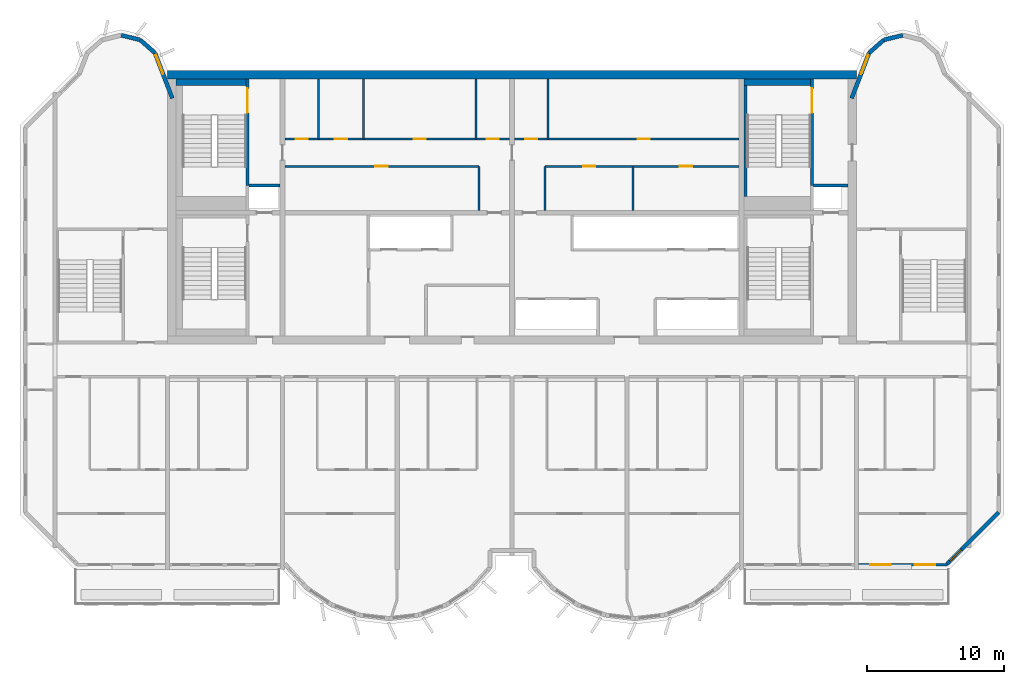
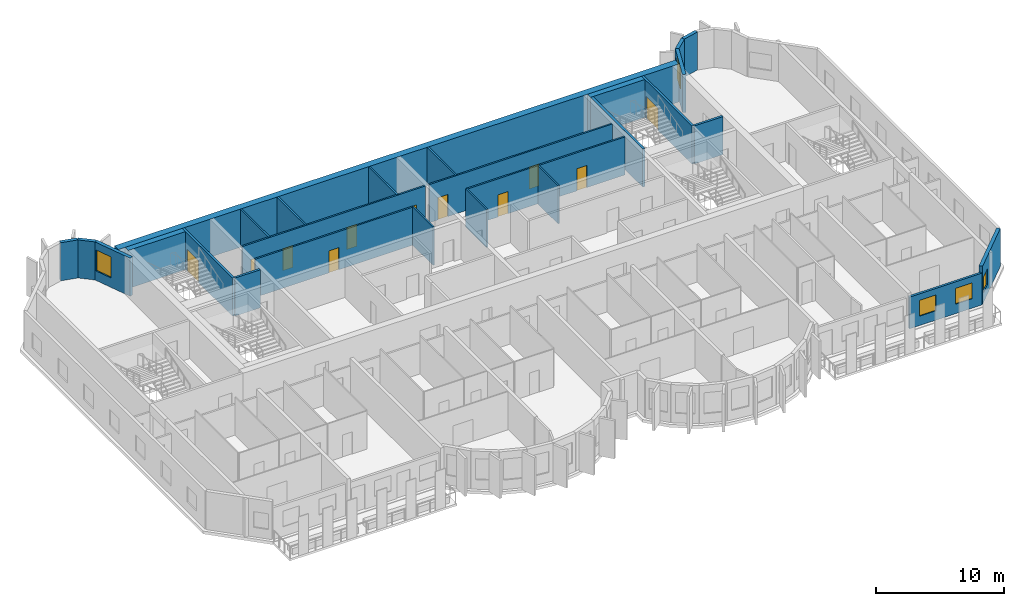
# One storey, part 7 of 11: 27 walls, 11 doors, 5 windows, 16 openings.
"""IFC4 building model written with IfcOpenShell, lengths in metres."""

from ifc_helpers import new_model, si_unit, direction, frame, frame_2d, origin, place, context, subcontext, project, spatial, rectangle, extrude, source, transform, mapped, material, layer, layer_set, type_object, element, fill, save


model = new_model("IFC4")

# Units and contexts
model_context = context("Model", 3, precision=1e-05, world=origin(), true_north=direction((0.0, 1.0)))
body_context = subcontext(model_context, "Body", "Model", "MODEL_VIEW")
ifc_project = project(units=[si_unit("LENGTHUNIT", "METRE"), si_unit("AREAUNIT", "SQUARE_METRE"), si_unit("VOLUMEUNIT", "CUBIC_METRE"), si_unit("PLANEANGLEUNIT", "RADIAN"), si_unit("MASSUNIT", "GRAM", prefix="KILO")], contexts=[model_context])

# Site, building, storey
site_placement = place(None, origin())
site = spatial("IfcSite", under=ifc_project, at=site_placement, CompositionType="ELEMENT")
building_placement = place(site_placement, origin())
building = spatial("IfcBuilding", under=site, at=building_placement, Name="Vanashikhar Sky Hotel", CompositionType="ELEMENT")
storey_placement = place(building_placement, frame((0.0, 0.0, 249.10009765625)))
storey = spatial("IfcBuildingStorey", under=building, at=storey_placement, Name="L60", CompositionType="ELEMENT", Elevation=249.10009765625)

# Wall
ifc_material_1 = material(Name="Concrete M60", Category="concrete")
ifc_layer_1 = layer(ifc_material_1, 0.60009765625)
ifc_layer_set_1 = layer_set([ifc_layer_1], Name="RC core shell wall 600 Concrete M60")
wall_type_1 = type_object("IfcWallType", Name="RC core shell wall 600 Concrete M60", PredefinedType="SHEAR", material=ifc_layer_set_1)
shared_shape_1 = source(origin(), body_context, "Body", "SweptSolid", [
    extrude(rectangle(XDim=50.400146484375, YDim=0.60009765625, at=frame_2d((25.2001953125, 0.0))), origin(), (0.0, 0.0, 1.0), 3.619873046875),
])
wall_1_placement = place(storey_placement, frame((25.199951171875, 41.699951171875, 0.0), z_axis=(0.0, 0.0, 1.0), x_axis=(1.0, 0.0, 0.0)))
element("IfcWall", 1, at=wall_1_placement, inside=storey, type_object=wall_type_1, Name="KW-L60-KN", PredefinedType="SHEAR", context=body_context, shape_type="MappedRepresentation", body=[
    mapped(shared_shape_1, transform((0.0, 0.0, 0.0), scale=1.0)),
])

# Wall, openings, windows
ifc_material_2 = material(Name="Concrete M50", Category="concrete")
ifc_layer_2 = layer(ifc_material_2, 0.199951171875)
ifc_layer_set_2 = layer_set([ifc_layer_2], Name="Front window wall 200")
wall_type_2 = type_object("IfcWallType", Name="Front window wall 200", PredefinedType="SOLIDWALL", material=ifc_layer_set_2)
shared_shape_2 = source(origin(), body_context, "Body", "SweptSolid", [
    extrude(rectangle(XDim=6.5048828125, YDim=0.199951171875, at=frame_2d((3.25244140625, 0.0))), origin(), (0.0, 0.0, 1.0), 3.02001953125),
])
wall_2_placement = place(storey_placement, frame((75.75, 5.85009765625, 0.0), z_axis=(0.0, 0.0, 1.0), x_axis=(1.0, 0.0, 0.0)))
wall_2 = element("IfcWall", 2, at=wall_2_placement, inside=storey, type_object=wall_type_2, Name="Front window wall", PredefinedType="SOLIDWALL", context=body_context, shape_type="MappedRepresentation", body=[
    mapped(shared_shape_2, transform((0.0, 0.0, 0.0), scale=1.0)),
])
shared_shape_3 = source(origin(), body_context, "Body", "SweptSolid", [
    extrude(rectangle(XDim=1.5, YDim=1.5, at=frame_2d((0.75, 0.75))), frame((0.0, 0.10986328125, 0.0), z_axis=(0.0, -1.0, 0.0), x_axis=(1.0, 0.0, 0.0)), (0.0, 0.0, 1.0), 0.219970703125),
])
opening_1_placement = place(wall_2_placement, frame((0.876220703125, 0.0, 0.89990234375)))
opening_1 = element("IfcOpeningElement", 3, at=opening_1_placement, cuts=wall_2, Name="Opening WN-1", PredefinedType="OPENING", context=body_context, shape_type="MappedRepresentation", body=[
    mapped(shared_shape_3, transform((0.0, 0.0, 0.0), scale=1.0)),
])
opening_2_placement = place(wall_2_placement, frame((4.128662109375, 0.0, 0.89990234375)))
opening_2 = element("IfcOpeningElement", 4, at=opening_2_placement, cuts=wall_2, Name="Opening WN-1", PredefinedType="OPENING", context=body_context, shape_type="MappedRepresentation", body=[
    mapped(shared_shape_3, transform((0.0, 0.0, 0.0), scale=1.0)),
])
ifc_material_3 = material(Name="Glass", Category="glass")
window_type_1 = type_object("IfcWindowType", Name="Window 1500 x 1500", PartitioningType="SINGLE_PANEL", PredefinedType="WINDOW", material=ifc_material_3)
shared_shape_4 = source(origin(), body_context, "Body", "SweptSolid", [
    extrude(rectangle(XDim=1.5, YDim=1.5, at=frame_2d((0.75, 0.75))), frame((0.0, 0.030029296875, 0.0), z_axis=(0.0, -1.0, 0.0), x_axis=(1.0, 0.0, 0.0)), (0.0, 0.0, 1.0), 0.06005859375),
])
window_1_placement = place(opening_1_placement, origin())
window_1 = element("IfcWindow", 5, at=window_1_placement, inside=storey, type_object=window_type_1, Name="Window WN-1", OverallHeight=1.5, OverallWidth=1.5, PartitioningType="SINGLE_PANEL", PredefinedType="WINDOW", context=body_context, shape_type="MappedRepresentation", body=[
    mapped(shared_shape_4, transform((0.0, 0.0, 0.0), scale=1.0)),
])
fill(opening_1, window_1)
window_2_placement = place(opening_2_placement, origin())
window_2 = element("IfcWindow", 6, at=window_2_placement, inside=storey, type_object=window_type_1, Name="Window WN-1", OverallHeight=1.5, OverallWidth=1.5, PartitioningType="SINGLE_PANEL", PredefinedType="WINDOW", context=body_context, shape_type="MappedRepresentation", body=[
    mapped(shared_shape_4, transform((0.0, 0.0, 0.0), scale=1.0)),
])
fill(opening_2, window_2)

# Wall, opening, window
ifc_layer_3 = layer(ifc_material_2, 0.300048828125)
ifc_layer_set_3 = layer_set([ifc_layer_3], Name="Lobe wall 300")
wall_type_3 = type_object("IfcWallType", Name="Lobe wall 300", PredefinedType="SOLIDWALL", material=ifc_layer_set_3)
shared_shape_5 = source(origin(), body_context, "Body", "SweptSolid", [
    extrude(rectangle(XDim=5.32568359375, YDim=0.300048828125, at=frame_2d((2.662841796875, 0.0))), origin(), (0.0, 0.0, 1.0), 3.619873046875),
])
wall_3_placement = place(storey_placement, frame((82.234375, 5.89990234375, 0.0), z_axis=(0.0, 0.0, 1.0), x_axis=(0.707083859269, 0.707129702361, 0.0)))
wall_3 = element("IfcWall", 7, at=wall_3_placement, inside=storey, type_object=wall_type_3, Name="Corner wall", PredefinedType="SOLIDWALL", context=body_context, shape_type="MappedRepresentation", body=[
    mapped(shared_shape_5, transform((0.0, 0.0, 0.0), scale=1.0)),
])
shared_shape_6 = source(origin(), body_context, "Body", "SweptSolid", [
    extrude(rectangle(XDim=1.199951171875, YDim=1.5, at=frame_2d((0.60009765625, 0.75))), frame((0.0, 0.16015625, 0.0), z_axis=(0.0, -1.0, 0.0), x_axis=(1.0, 0.0, 0.0)), (0.0, 0.0, 1.0), 0.320068359375),
])
opening_3_placement = place(wall_3_placement, frame((0.29248046875, 0.0, 0.89990234375)))
opening_3 = element("IfcOpeningElement", 8, at=opening_3_placement, cuts=wall_3, Name="Opening WN-3", PredefinedType="OPENING", context=body_context, shape_type="MappedRepresentation", body=[
    mapped(shared_shape_6, transform((0.0, 0.0, 0.0), scale=1.0)),
])
window_type_2 = type_object("IfcWindowType", Name="Corridor end window 1200 x 1500", PartitioningType="SINGLE_PANEL", PredefinedType="WINDOW", material=ifc_material_3)
shared_shape_7 = source(origin(), body_context, "Body", "SweptSolid", [
    extrude(rectangle(XDim=1.199951171875, YDim=1.5, at=frame_2d((0.60009765625, 0.75))), frame((0.0, 0.030029296875, 0.0), z_axis=(0.0, -1.0, 0.0), x_axis=(1.0, 0.0, 0.0)), (0.0, 0.0, 1.0), 0.06005859375),
])
window_3_placement = place(opening_3_placement, origin())
window_3 = element("IfcWindow", 9, at=window_3_placement, inside=storey, type_object=window_type_2, Name="Window WN-3", OverallHeight=1.5, OverallWidth=1.199951171875, PartitioningType="SINGLE_PANEL", PredefinedType="WINDOW", context=body_context, shape_type="MappedRepresentation", body=[
    mapped(shared_shape_7, transform((0.0, 0.0, 0.0), scale=1.0)),
])
fill(opening_3, window_3)

shared_shape_8 = source(origin(), body_context, "Body", "SweptSolid", [
    extrude(rectangle(XDim=3.55908203125, YDim=0.300048828125, at=frame_2d((1.779541015625, 0.0))), origin(), (0.0, 0.0, 1.0), 3.619873046875),
])
wall_4_placement = place(storey_placement, frame((76.5234375, 43.2919921875, 0.0), z_axis=(0.0, 0.0, 1.0), x_axis=(-0.35779745313, -0.933799219604, 0.0)))
wall_4 = element("IfcWall", 10, at=wall_4_placement, inside=storey, type_object=wall_type_3, Name="Lobe wall", PredefinedType="SOLIDWALL", context=body_context, shape_type="MappedRepresentation", body=[
    mapped(shared_shape_8, transform((0.0, 0.0, 0.0), scale=1.0)),
])
shared_shape_9 = source(origin(), body_context, "Body", "SweptSolid", [
    extrude(rectangle(XDim=1.5, YDim=2.0, at=frame_2d((0.75, 1.0))), frame((0.0, 0.16015625, 0.0), z_axis=(0.0, -1.0, 0.0), x_axis=(1.0, 0.0, 0.0)), (0.0, 0.0, 1.0), 0.320068359375),
])
opening_4_placement = place(wall_4_placement, frame((0.156005859375, 0.0, 0.89990234375)))
opening_4 = element("IfcOpeningElement", 11, at=opening_4_placement, cuts=wall_4, Name="Opening WN-2", PredefinedType="OPENING", context=body_context, shape_type="MappedRepresentation", body=[
    mapped(shared_shape_9, transform((0.0, 0.0, 0.0), scale=1.0)),
])
window_type_3 = type_object("IfcWindowType", Name="Lobe window 1500 x 2000", PartitioningType="SINGLE_PANEL", PredefinedType="WINDOW", material=ifc_material_3)
shared_shape_10 = source(origin(), body_context, "Body", "SweptSolid", [
    extrude(rectangle(XDim=1.5, YDim=2.0, at=frame_2d((0.75, 1.0))), frame((0.0, 0.030029296875, 0.0), z_axis=(0.0, -1.0, 0.0), x_axis=(1.0, 0.0, 0.0)), (0.0, 0.0, 1.0), 0.06005859375),
])
window_4_placement = place(opening_4_placement, origin())
window_4 = element("IfcWindow", 12, at=window_4_placement, inside=storey, type_object=window_type_3, Name="Window WN-2", OverallHeight=2.0, OverallWidth=1.5, PartitioningType="SINGLE_PANEL", PredefinedType="WINDOW", context=body_context, shape_type="MappedRepresentation", body=[
    mapped(shared_shape_10, transform((0.0, 0.0, 0.0), scale=1.0)),
])
fill(opening_4, window_4)

wall_5_placement = place(storey_placement, frame((25.550048828125, 39.968505859375, 0.0), z_axis=(0.0, 0.0, 1.0), x_axis=(-0.35779745313, 0.933799219604, 0.0)))
wall_5 = element("IfcWall", 13, at=wall_5_placement, inside=storey, type_object=wall_type_3, Name="Lobe wall", PredefinedType="SOLIDWALL", context=body_context, shape_type="MappedRepresentation", body=[
    mapped(shared_shape_8, transform((0.0, 0.0, 0.0), scale=1.0)),
])
opening_5_placement = place(wall_5_placement, frame((1.9033203125, 0.0, 0.89990234375)))
opening_5 = element("IfcOpeningElement", 14, at=opening_5_placement, cuts=wall_5, Name="Opening WN-2", PredefinedType="OPENING", context=body_context, shape_type="MappedRepresentation", body=[
    mapped(shared_shape_9, transform((0.0, 0.0, 0.0), scale=1.0)),
])
window_5_placement = place(opening_5_placement, origin())
window_5 = element("IfcWindow", 15, at=window_5_placement, inside=storey, type_object=window_type_3, Name="Window WN-2", OverallHeight=2.0, OverallWidth=1.5, PartitioningType="SINGLE_PANEL", PredefinedType="WINDOW", context=body_context, shape_type="MappedRepresentation", body=[
    mapped(shared_shape_10, transform((0.0, 0.0, 0.0), scale=1.0)),
])
fill(opening_5, window_5)

# Walls
shared_shape_11 = source(origin(), body_context, "Body", "SweptSolid", [
    extrude(rectangle(XDim=1.440185546875, YDim=0.300048828125, at=frame_2d((0.72021484375, 0.0))), origin(), (0.0, 0.0, 1.0), 3.619873046875),
])
wall_6_placement = place(storey_placement, frame((24.276611328125, 43.2919921875, 0.0), z_axis=(0.0, 0.0, 1.0), x_axis=(-0.749649827867, 0.661834673902, 0.0)))
element("IfcWall", 16, at=wall_6_placement, inside=storey, type_object=wall_type_3, Name="Lobe wall", PredefinedType="SOLIDWALL", context=body_context, shape_type="MappedRepresentation", body=[
    mapped(shared_shape_11, transform((0.0, 0.0, 0.0), scale=1.0)),
])
shared_shape_12 = source(origin(), body_context, "Body", "SweptSolid", [
    extrude(rectangle(XDim=1.4384765625, YDim=0.300048828125, at=frame_2d((0.71923828125, 0.0))), origin(), (0.0, 0.0, 1.0), 3.619873046875),
])
wall_7_placement = place(storey_placement, frame((23.197021484375, 44.2451171875, 0.0), z_axis=(0.0, 0.0, 1.0), x_axis=(-0.971152283879, 0.238460146601, 0.0)))
element("IfcWall", 17, at=wall_7_placement, inside=storey, type_object=wall_type_3, Name="Lobe wall", PredefinedType="SOLIDWALL", context=body_context, shape_type="MappedRepresentation", body=[
    mapped(shared_shape_12, transform((0.0, 0.0, 0.0), scale=1.0)),
])
shared_shape_13 = source(origin(), body_context, "Body", "SweptSolid", [
    extrude(rectangle(XDim=1.438720703125, YDim=0.300048828125, at=frame_2d((0.71923828125, 0.0))), origin(), (0.0, 0.0, 1.0), 3.619873046875),
])
wall_8_placement = place(storey_placement, frame((79.0, 44.588134765625, 0.0), z_axis=(0.0, 0.0, 1.0), x_axis=(-0.971161932466, -0.238420848351, 0.0)))
element("IfcWall", 18, at=wall_8_placement, inside=storey, type_object=wall_type_3, Name="Lobe wall", PredefinedType="SOLIDWALL", context=body_context, shape_type="MappedRepresentation", body=[
    mapped(shared_shape_13, transform((0.0, 0.0, 0.0), scale=1.0)),
])
shared_shape_14 = source(origin(), body_context, "Body", "SweptSolid", [
    extrude(rectangle(XDim=1.43994140625, YDim=0.300048828125, at=frame_2d((0.719970703125, 0.0))), origin(), (0.0, 0.0, 1.0), 3.619873046875),
])
wall_9_placement = place(storey_placement, frame((77.602783203125, 44.2451171875, 0.0), z_axis=(0.0, 0.0, 1.0), x_axis=(-0.74957555648, -0.661918790432, 0.0)))
element("IfcWall", 19, at=wall_9_placement, inside=storey, type_object=wall_type_3, Name="Lobe wall", PredefinedType="SOLIDWALL", context=body_context, shape_type="MappedRepresentation", body=[
    mapped(shared_shape_14, transform((0.0, 0.0, 0.0), scale=1.0)),
])
ifc_material_4 = material(Name="Gypsum board partition")
ifc_layer_4 = layer(ifc_material_4, 0.14990234375)
ifc_layer_set_4 = layer_set([ifc_layer_4], Name="Service partition 150")
wall_type_4 = type_object("IfcWallType", Name="Service partition 150", PredefinedType="PARTITIONING", material=ifc_layer_set_4)
shared_shape_15 = source(origin(), body_context, "Body", "SweptSolid", [
    extrude(rectangle(XDim=3.22509765625, YDim=0.14990234375, at=frame_2d((1.612548828125, 0.0))), origin(), (0.0, 0.0, 1.0), 3.619873046875),
])
for number, where, z_axis, x_axis, name in (
    (20, (48.0, 31.77490234375, 0.0), (0.0, 0.0, 1.0), (0.0, 1.0, 0.0), "Service partition 150"),
    (21, (52.800048828125, 31.77490234375, 0.0), (0.0, 0.0, 1.0), (0.0, 1.0, 0.0), "Service partition 150"),
    (22, (59.241943359375, 31.77490234375, 0.0), (0.0, 0.0, 1.0), (0.0, 1.0, 0.0), "Service partition 150"),
):
    element("IfcWall", number, at=place(storey_placement, frame(where, z_axis=z_axis, x_axis=x_axis)), inside=storey, type_object=wall_type_4, Name=name, PredefinedType="PARTITIONING", context=body_context, shape_type="MappedRepresentation", body=[
        mapped(shared_shape_15, transform((0.0, 0.0, 0.0), scale=1.0)),
    ])

# Wall, opening, door
shared_shape_16 = source(origin(), body_context, "Body", "SweptSolid", [
    extrude(rectangle(XDim=14.22509765625, YDim=0.14990234375, at=frame_2d((7.112548828125, 0.0))), origin(), (0.0, 0.0, 1.0), 3.619873046875),
])
wall_10_placement = place(storey_placement, frame((33.77490234375, 35.0, 0.0), z_axis=(0.0, 0.0, 1.0), x_axis=(1.0, 0.0, 0.0)))
wall_10 = element("IfcWall", 23, at=wall_10_placement, inside=storey, type_object=wall_type_4, Name="Service partition 150", PredefinedType="PARTITIONING", context=body_context, shape_type="MappedRepresentation", body=[
    mapped(shared_shape_16, transform((0.0, 0.0, 0.0), scale=1.0)),
])
shared_shape_17 = source(origin(), body_context, "Body", "SweptSolid", [
    extrude(rectangle(XDim=0.89990234375, YDim=2.10009765625, at=frame_2d((0.449951171875, 1.050048828125))), frame((0.0, 0.0849609375, 0.0), z_axis=(0.0, -1.0, 0.0), x_axis=(1.0, 0.0, 0.0)), (0.0, 0.0, 1.0), 0.169921875),
])
opening_6_placement = place(wall_10_placement, frame((6.625, 0.0, 0.0)))
opening_6 = element("IfcOpeningElement", 24, at=opening_6_placement, cuts=wall_10, Name="Opening DC-4-A", PredefinedType="OPENING", context=body_context, shape_type="MappedRepresentation", body=[
    mapped(shared_shape_17, transform((0.0, 0.0, 0.0), scale=1.0)),
])
ifc_material_5 = material(Name="Steel", Category="steel")
door_type_1 = type_object("IfcDoorType", Name="Service door 900 FD60", OperationType="NOTDEFINED", PredefinedType="DOOR", material=ifc_material_5)
shared_shape_18 = source(origin(), body_context, "Body", "SweptSolid", [
    extrude(rectangle(XDim=0.89990234375, YDim=2.10009765625, at=frame_2d((0.449951171875, 1.050048828125))), frame((0.0, 0.02490234375, 0.0), z_axis=(0.0, -1.0, 0.0), x_axis=(1.0, 0.0, 0.0)), (0.0, 0.0, 1.0), 0.050048828125),
])
door_1_placement = place(opening_6_placement, origin())
door_1 = element("IfcDoor", 25, at=door_1_placement, inside=storey, type_object=door_type_1, Name="Service door 900 FD60", OperationType="SINGLE_SWING_LEFT", OverallHeight=2.10009765625, OverallWidth=0.89990234375, PredefinedType="DOOR", context=body_context, shape_type="MappedRepresentation", body=[
    mapped(shared_shape_18, transform((0.0, 0.0, 0.0), scale=1.0)),
])
fill(opening_6, door_1)

# Wall, openings, doors
shared_shape_19 = source(origin(), body_context, "Body", "SweptSolid", [
    extrude(rectangle(XDim=16.4501953125, YDim=0.14990234375, at=frame_2d((8.22509765625, 0.0))), origin(), (0.0, 0.0, 1.0), 3.619873046875),
])
wall_11_placement = place(storey_placement, frame((33.77490234375, 37.0, 0.0), z_axis=(0.0, 0.0, 1.0), x_axis=(1.0, 0.0, 0.0)))
wall_11 = element("IfcWall", 26, at=wall_11_placement, inside=storey, type_object=wall_type_4, Name="Service partition 150", PredefinedType="PARTITIONING", context=body_context, shape_type="MappedRepresentation", body=[
    mapped(shared_shape_19, transform((0.0, 0.0, 0.0), scale=1.0)),
])
opening_7_placement = place(wall_11_placement, frame((0.783935546875, 0.0, 0.0)))
opening_7 = element("IfcOpeningElement", 27, at=opening_7_placement, cuts=wall_11, Name="Opening DC-4-A", PredefinedType="OPENING", context=body_context, shape_type="MappedRepresentation", body=[
    mapped(shared_shape_17, transform((0.0, 0.0, 0.0), scale=1.0)),
])
opening_8_placement = place(wall_11_placement, frame((3.6630859375, 0.0, 0.0)))
opening_8 = element("IfcOpeningElement", 28, at=opening_8_placement, cuts=wall_11, Name="Opening DC-4-A", PredefinedType="OPENING", context=body_context, shape_type="MappedRepresentation", body=[
    mapped(shared_shape_17, transform((0.0, 0.0, 0.0), scale=1.0)),
])
opening_9_placement = place(wall_11_placement, frame((9.419921875, 0.0, 0.0)))
opening_9 = element("IfcOpeningElement", 29, at=opening_9_placement, cuts=wall_11, Name="Opening DC-4-A", PredefinedType="OPENING", context=body_context, shape_type="MappedRepresentation", body=[
    mapped(shared_shape_17, transform((0.0, 0.0, 0.0), scale=1.0)),
])
opening_10_placement = place(wall_11_placement, frame((14.76611328125, 0.0, 0.0)))
opening_10 = element("IfcOpeningElement", 30, at=opening_10_placement, cuts=wall_11, Name="Opening DC-4-A", PredefinedType="OPENING", context=body_context, shape_type="MappedRepresentation", body=[
    mapped(shared_shape_17, transform((0.0, 0.0, 0.0), scale=1.0)),
])
door_2_placement = place(opening_7_placement, origin())
door_2 = element("IfcDoor", 31, at=door_2_placement, inside=storey, type_object=door_type_1, Name="Service door 900 FD60", OperationType="SINGLE_SWING_RIGHT", OverallHeight=2.10009765625, OverallWidth=0.89990234375, PredefinedType="DOOR", context=body_context, shape_type="MappedRepresentation", body=[
    mapped(shared_shape_18, transform((0.0, 0.0, 0.0), scale=1.0)),
])
fill(opening_7, door_2)
door_3_placement = place(opening_8_placement, origin())
door_3 = element("IfcDoor", 32, at=door_3_placement, inside=storey, type_object=door_type_1, Name="Service door 900 FD60", OperationType="SINGLE_SWING_RIGHT", OverallHeight=2.10009765625, OverallWidth=0.89990234375, PredefinedType="DOOR", context=body_context, shape_type="MappedRepresentation", body=[
    mapped(shared_shape_18, transform((0.0, 0.0, 0.0), scale=1.0)),
])
fill(opening_8, door_3)
door_4_placement = place(opening_9_placement, origin())
door_4 = element("IfcDoor", 33, at=door_4_placement, inside=storey, type_object=door_type_1, Name="Service door 900 FD60", OperationType="SINGLE_SWING_RIGHT", OverallHeight=2.10009765625, OverallWidth=0.89990234375, PredefinedType="DOOR", context=body_context, shape_type="MappedRepresentation", body=[
    mapped(shared_shape_18, transform((0.0, 0.0, 0.0), scale=1.0)),
])
fill(opening_9, door_4)
door_5_placement = place(opening_10_placement, origin())
door_5 = element("IfcDoor", 34, at=door_5_placement, inside=storey, type_object=door_type_1, Name="Service door 900 FD60", OperationType="SINGLE_SWING_LEFT", OverallHeight=2.10009765625, OverallWidth=0.89990234375, PredefinedType="DOOR", context=body_context, shape_type="MappedRepresentation", body=[
    mapped(shared_shape_18, transform((0.0, 0.0, 0.0), scale=1.0)),
])
fill(opening_10, door_5)

# Walls
shared_shape_20 = source(origin(), body_context, "Body", "SweptSolid", [
    extrude(rectangle(XDim=4.39990234375, YDim=0.14990234375, at=frame_2d((2.199951171875, 0.0))), origin(), (0.0, 0.0, 1.0), 3.619873046875),
])
for number, where, z_axis, x_axis, name in (
    (35, (36.241943359375, 37.0, 0.0), (0.0, 0.0, 1.0), (0.0, 1.0, 0.0), "Service partition 150"),
    (36, (39.531982421875, 37.0, 0.0), (0.0, 0.0, 1.0), (0.0, 1.0, 0.0), "Service partition 150"),
    (37, (47.758056640625, 37.0, 0.0), (0.0, 0.0, 1.0), (0.0, 1.0, 0.0), "Service partition 150"),
    (38, (53.0419921875, 37.0, 0.0), (0.0, 0.0, 1.0), (0.0, 1.0, 0.0), "Service partition 150"),
):
    element("IfcWall", number, at=place(storey_placement, frame(where, z_axis=z_axis, x_axis=x_axis)), inside=storey, type_object=wall_type_4, Name=name, PredefinedType="PARTITIONING", context=body_context, shape_type="MappedRepresentation", body=[
        mapped(shared_shape_20, transform((0.0, 0.0, 0.0), scale=1.0)),
    ])

# Wall, openings, doors
shared_shape_21 = source(origin(), body_context, "Body", "SweptSolid", [
    extrude(rectangle(XDim=14.224853515625, YDim=0.14990234375, at=frame_2d((7.1123046875, 0.0))), origin(), (0.0, 0.0, 1.0), 3.619873046875),
])
wall_12_placement = place(storey_placement, frame((67.02490234375, 35.0, 0.0), z_axis=(0.0, 0.0, 1.0), x_axis=(-1.0, 0.0, 0.0)))
wall_12 = element("IfcWall", 39, at=wall_12_placement, inside=storey, type_object=wall_type_4, Name="Service partition 150", PredefinedType="PARTITIONING", context=body_context, shape_type="MappedRepresentation", body=[
    mapped(shared_shape_21, transform((0.0, 0.0, 0.0), scale=1.0)),
])
opening_11_placement = place(wall_12_placement, frame((3.44091796875, 0.0, 0.0)))
opening_11 = element("IfcOpeningElement", 40, at=opening_11_placement, cuts=wall_12, Name="Opening DC-4-A", PredefinedType="OPENING", context=body_context, shape_type="MappedRepresentation", body=[
    mapped(shared_shape_17, transform((0.0, 0.0, 0.0), scale=1.0)),
])
opening_12_placement = place(wall_12_placement, frame((10.51611328125, 0.0, 0.0)))
opening_12 = element("IfcOpeningElement", 41, at=opening_12_placement, cuts=wall_12, Name="Opening DC-4-A", PredefinedType="OPENING", context=body_context, shape_type="MappedRepresentation", body=[
    mapped(shared_shape_17, transform((0.0, 0.0, 0.0), scale=1.0)),
])
door_6_placement = place(opening_11_placement, origin())
door_6 = element("IfcDoor", 42, at=door_6_placement, inside=storey, type_object=door_type_1, Name="Service door 900 FD60", OperationType="SINGLE_SWING_LEFT", OverallHeight=2.10009765625, OverallWidth=0.89990234375, PredefinedType="DOOR", context=body_context, shape_type="MappedRepresentation", body=[
    mapped(shared_shape_18, transform((0.0, 0.0, 0.0), scale=1.0)),
])
fill(opening_11, door_6)
door_7_placement = place(opening_12_placement, origin())
door_7 = element("IfcDoor", 43, at=door_7_placement, inside=storey, type_object=door_type_1, Name="Service door 900 FD60", OperationType="SINGLE_SWING_RIGHT", OverallHeight=2.10009765625, OverallWidth=0.89990234375, PredefinedType="DOOR", context=body_context, shape_type="MappedRepresentation", body=[
    mapped(shared_shape_18, transform((0.0, 0.0, 0.0), scale=1.0)),
])
fill(opening_12, door_7)

shared_shape_22 = source(origin(), body_context, "Body", "SweptSolid", [
    extrude(rectangle(XDim=16.449951171875, YDim=0.14990234375, at=frame_2d((8.22509765625, 0.0))), origin(), (0.0, 0.0, 1.0), 3.619873046875),
])
wall_13_placement = place(storey_placement, frame((67.02490234375, 37.0, 0.0), z_axis=(0.0, 0.0, 1.0), x_axis=(-1.0, 0.0, 0.0)))
wall_13 = element("IfcWall", 44, at=wall_13_placement, inside=storey, type_object=wall_type_4, Name="Service partition 150", PredefinedType="PARTITIONING", context=body_context, shape_type="MappedRepresentation", body=[
    mapped(shared_shape_22, transform((0.0, 0.0, 0.0), scale=1.0)),
])
opening_13_placement = place(wall_13_placement, frame((6.541015625, 0.0, 0.0)))
opening_13 = element("IfcOpeningElement", 45, at=opening_13_placement, cuts=wall_13, Name="Opening DC-4-A", PredefinedType="OPENING", context=body_context, shape_type="MappedRepresentation", body=[
    mapped(shared_shape_17, transform((0.0, 0.0, 0.0), scale=1.0)),
])
opening_14_placement = place(wall_13_placement, frame((14.76611328125, 0.0, 0.0)))
opening_14 = element("IfcOpeningElement", 46, at=opening_14_placement, cuts=wall_13, Name="Opening DC-4-A", PredefinedType="OPENING", context=body_context, shape_type="MappedRepresentation", body=[
    mapped(shared_shape_17, transform((0.0, 0.0, 0.0), scale=1.0)),
])
door_8_placement = place(opening_13_placement, origin())
door_8 = element("IfcDoor", 47, at=door_8_placement, inside=storey, type_object=door_type_1, Name="Service door 900 FD60", OperationType="SINGLE_SWING_RIGHT", OverallHeight=2.10009765625, OverallWidth=0.89990234375, PredefinedType="DOOR", context=body_context, shape_type="MappedRepresentation", body=[
    mapped(shared_shape_18, transform((0.0, 0.0, 0.0), scale=1.0)),
])
fill(opening_13, door_8)
door_9_placement = place(opening_14_placement, origin())
door_9 = element("IfcDoor", 48, at=door_9_placement, inside=storey, type_object=door_type_1, Name="Service door 900 FD60", OperationType="SINGLE_SWING_LEFT", OverallHeight=2.10009765625, OverallWidth=0.89990234375, PredefinedType="DOOR", context=body_context, shape_type="MappedRepresentation", body=[
    mapped(shared_shape_18, transform((0.0, 0.0, 0.0), scale=1.0)),
])
fill(opening_14, door_9)

# Wall
ifc_material_6 = material(Name="Concrete M40", Category="concrete")
ifc_layer_5 = layer(ifc_material_6, 0.199951171875)
ifc_layer_set_5 = layer_set([ifc_layer_5], Name="Shaft wall 200")
wall_type_5 = type_object("IfcWallType", Name="Shaft wall 200", PredefinedType="SOLIDWALL", material=ifc_layer_set_5)
shared_shape_23 = source(origin(), body_context, "Body", "SweptSolid", [
    extrude(rectangle(XDim=2.275146484375, YDim=0.199951171875, at=frame_2d((1.1376953125, 0.0))), origin(), (0.0, 0.0, 1.0), 3.619873046875),
])
wall_14_placement = place(storey_placement, frame((31.14990234375, 33.60009765625, 0.0), z_axis=(0.0, 0.0, 1.0), x_axis=(1.0, 0.0, 0.0)))
element("IfcWall", 49, at=wall_14_placement, inside=storey, type_object=wall_type_5, Name="Shaft wall 200", PredefinedType="SOLIDWALL", context=body_context, shape_type="MappedRepresentation", body=[
    mapped(shared_shape_23, transform((0.0, 0.0, 0.0), scale=1.0)),
])

# Wall, opening, door
ifc_layer_6 = layer(ifc_material_2, 0.199951171875)
ifc_layer_set_6 = layer_set([ifc_layer_6], Name="Stair wall 200")
wall_type_6 = type_object("IfcWallType", Name="Stair wall 200", PredefinedType="SOLIDWALL", material=ifc_layer_set_6)
shared_shape_24 = source(origin(), body_context, "Body", "SweptSolid", [
    extrude(rectangle(XDim=7.7998046875, YDim=0.199951171875, at=frame_2d((3.89990234375, 0.0))), origin(), (0.0, 0.0, 1.0), 3.619873046875),
])
wall_15_placement = place(storey_placement, frame((31.050048828125, 33.60009765625, 0.0), z_axis=(0.0, 0.0, 1.0), x_axis=(0.0, 1.0, 0.0)))
wall_15 = element("IfcWall", 50, at=wall_15_placement, inside=storey, type_object=wall_type_6, Name="Stair wall 200", PredefinedType="SOLIDWALL", context=body_context, shape_type="MappedRepresentation", body=[
    mapped(shared_shape_24, transform((0.0, 0.0, 0.0), scale=1.0)),
])
shared_shape_25 = source(origin(), body_context, "Body", "SweptSolid", [
    extrude(rectangle(XDim=1.800048828125, YDim=2.10009765625, at=frame_2d((0.89990234375, 1.050048828125))), frame((0.0, 0.10986328125, 0.0), z_axis=(0.0, -1.0, 0.0), x_axis=(1.0, 0.0, 0.0)), (0.0, 0.0, 1.0), 0.219970703125),
])
opening_15_placement = place(wall_15_placement, frame((5.300048828125, 0.0, 0.0)))
opening_15 = element("IfcOpeningElement", 51, at=opening_15_placement, cuts=wall_15, Name="Opening DC-1-A", PredefinedType="OPENING", context=body_context, shape_type="MappedRepresentation", body=[
    mapped(shared_shape_25, transform((0.0, 0.0, 0.0), scale=1.0)),
])
door_type_2 = type_object("IfcDoorType", Name="Stair door 1800 FD120", OperationType="NOTDEFINED", PredefinedType="DOOR", material=ifc_material_5)
shared_shape_26 = source(origin(), body_context, "Body", "SweptSolid", [
    extrude(rectangle(XDim=1.800048828125, YDim=2.10009765625, at=frame_2d((0.89990234375, 1.050048828125))), frame((0.0, 0.02490234375, 0.0), z_axis=(0.0, -1.0, 0.0), x_axis=(1.0, 0.0, 0.0)), (0.0, 0.0, 1.0), 0.050048828125),
])
door_10_placement = place(opening_15_placement, origin())
door_10 = element("IfcDoor", 52, at=door_10_placement, inside=storey, type_object=door_type_2, Name="Stair door 1800 FD120", OperationType="SINGLE_SWING_LEFT", OverallHeight=2.10009765625, OverallWidth=1.800048828125, PredefinedType="DOOR", context=body_context, shape_type="MappedRepresentation", body=[
    mapped(shared_shape_26, transform((0.0, 0.0, 0.0), scale=1.0)),
])
fill(opening_15, door_10)

wall_16_placement = place(storey_placement, frame((72.35009765625, 33.60009765625, 0.0), z_axis=(0.0, 0.0, 1.0), x_axis=(0.0, 1.0, 0.0)))
wall_16 = element("IfcWall", 53, at=wall_16_placement, inside=storey, type_object=wall_type_6, Name="Stair wall 200", PredefinedType="SOLIDWALL", context=body_context, shape_type="MappedRepresentation", body=[
    mapped(shared_shape_24, transform((0.0, 0.0, 0.0), scale=1.0)),
])
opening_16_placement = place(wall_16_placement, frame((5.300048828125, 0.0, 0.0)))
opening_16 = element("IfcOpeningElement", 54, at=opening_16_placement, cuts=wall_16, Name="Opening DC-1-A", PredefinedType="OPENING", context=body_context, shape_type="MappedRepresentation", body=[
    mapped(shared_shape_25, transform((0.0, 0.0, 0.0), scale=1.0)),
])
door_11_placement = place(opening_16_placement, origin())
door_11 = element("IfcDoor", 55, at=door_11_placement, inside=storey, type_object=door_type_2, Name="Stair door 1800 FD120", OperationType="SINGLE_SWING_LEFT", OverallHeight=2.10009765625, OverallWidth=1.800048828125, PredefinedType="DOOR", context=body_context, shape_type="MappedRepresentation", body=[
    mapped(shared_shape_26, transform((0.0, 0.0, 0.0), scale=1.0)),
])
fill(opening_16, door_11)

# Walls
shared_shape_27 = source(origin(), body_context, "Body", "SweptSolid", [
    extrude(rectangle(XDim=2.550048828125, YDim=0.199951171875, at=frame_2d((1.27490234375, 0.0))), origin(), (0.0, 0.0, 1.0), 3.619873046875),
])
wall_17_placement = place(storey_placement, frame((72.449951171875, 33.60009765625, 0.0), z_axis=(0.0, 0.0, 1.0), x_axis=(1.0, 0.0, 0.0)))
element("IfcWall", 56, at=wall_17_placement, inside=storey, type_object=wall_type_5, Name="Shaft wall 200", PredefinedType="SOLIDWALL", context=body_context, shape_type="MappedRepresentation", body=[
    mapped(shared_shape_27, transform((0.0, 0.0, 0.0), scale=1.0)),
])
ifc_layer_7 = layer(ifc_material_2, 0.5)
ifc_layer_set_7 = layer_set([ifc_layer_7], Name="Stair infill wall 500")
wall_type_7 = type_object("IfcWallType", Name="Stair infill wall 500", PredefinedType="SOLIDWALL", material=ifc_layer_set_7)
shared_shape_28 = source(origin(), body_context, "Body", "SweptSolid", [
    extrude(rectangle(XDim=5.14990234375, YDim=0.5, at=frame_2d((2.574951171875, 0.0))), origin(), (0.0, 0.0, 1.0), 3.619873046875),
])
wall_18_placement = place(storey_placement, frame((25.800048828125, 41.14990234375, 0.0), z_axis=(0.0, 0.0, 1.0), x_axis=(1.0, 0.0, 0.0)))
element("IfcWall", 57, at=wall_18_placement, inside=storey, type_object=wall_type_7, Name="Stair infill wall 500", PredefinedType="SOLIDWALL", context=body_context, shape_type="MappedRepresentation", body=[
    mapped(shared_shape_28, transform((0.0, 0.0, 0.0), scale=1.0)),
])
shared_shape_29 = source(origin(), body_context, "Body", "SweptSolid", [
    extrude(rectangle(XDim=4.875, YDim=0.5, at=frame_2d((2.4375, 0.0))), origin(), (0.0, 0.0, 1.0), 3.619873046875),
])
wall_19_placement = place(storey_placement, frame((67.375, 41.14990234375, 0.0), z_axis=(0.0, 0.0, 1.0), x_axis=(1.0, 0.0, 0.0)))
element("IfcWall", 58, at=wall_19_placement, inside=storey, type_object=wall_type_7, Name="Stair infill wall 500", PredefinedType="SOLIDWALL", context=body_context, shape_type="MappedRepresentation", body=[
    mapped(shared_shape_29, transform((0.0, 0.0, 0.0), scale=1.0)),
])
ifc_layer_8 = layer(ifc_material_2, 0.22509765625)
ifc_layer_set_8 = layer_set([ifc_layer_8], Name="Stair infill wall 225")
wall_type_8 = type_object("IfcWallType", Name="Stair infill wall 225", PredefinedType="SOLIDWALL", material=ifc_layer_set_8)
shared_shape_30 = source(origin(), body_context, "Body", "SweptSolid", [
    extrude(rectangle(XDim=8.099853515625, YDim=0.22509765625, at=frame_2d((4.0498046875, 0.0))), origin(), (0.0, 0.0, 1.0), 3.619873046875),
])
wall_20_placement = place(storey_placement, frame((67.487060546875, 32.800048828125, 0.0), z_axis=(0.0, 0.0, 1.0), x_axis=(0.0, 1.0, 0.0)))
element("IfcWall", 59, at=wall_20_placement, inside=storey, type_object=wall_type_8, Name="Stair infill wall 225", PredefinedType="SOLIDWALL", context=body_context, shape_type="MappedRepresentation", body=[
    mapped(shared_shape_30, transform((0.0, 0.0, 0.0), scale=1.0)),
])

save(model, "model.ifc")
